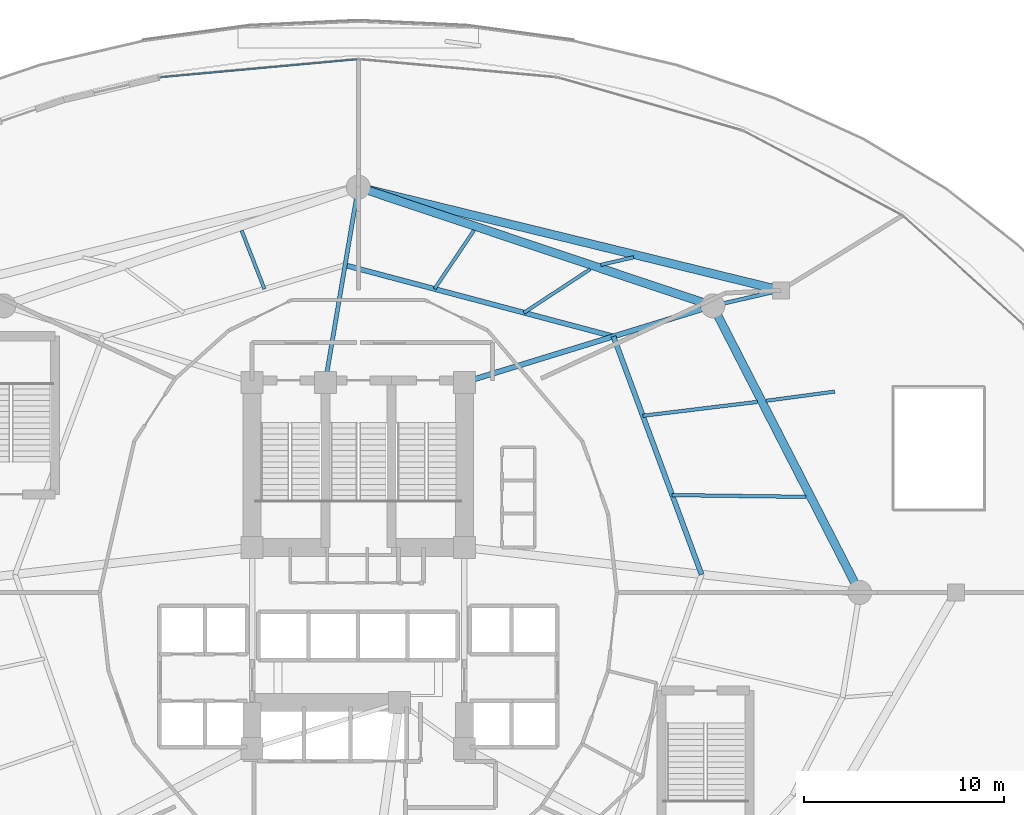
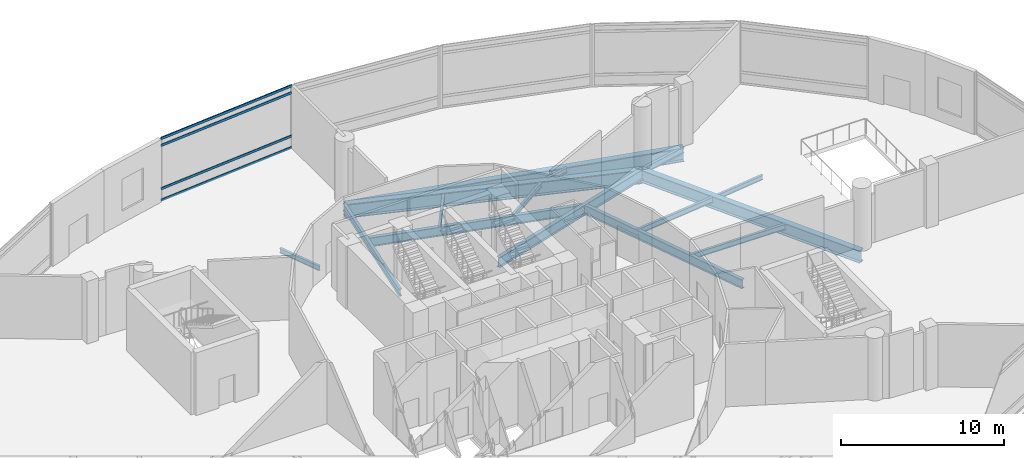
# One storey, part 18 of 37: 15 beams, 4 members, 1 element without a shape of its own.
"""IFC4 building model written with IfcOpenShell, lengths in metres."""

import ifcopenshell
import ifcopenshell.guid

model = None  # the IFC model being written
_history = None  # IfcOwnerHistory: only IFC2X3 demands one
_inside = {}  # id of a spatial element -> (the spatial element, [elements in it])
_under = {}  # id of a project, library or spatial element -> (it, [spatial elements below it])
_declared = {}  # id of a project -> (the project, [libraries it declares])
_typed = {}  # id of a type object -> (the type object, [elements of that type])
_made_of = {}  # id of a material, layer set ... -> (it, [elements and type objects made of it])


def new_model(schema):
    """Start an empty IFC model of exactly this schema.

    Asked for "IFC4X3", IfcOpenShell would pick the latest addendum, in which some entities
    have other attributes; the version numbers below select the first issue.
    IFC2X3 requires an IfcOwnerHistory on every rooted entity: one is made here for all.
    """
    global model, _history
    if schema == "IFC4X3":
        model = ifcopenshell.file(schema_version=(4, 3, 0, 0))
    else:
        model = ifcopenshell.file(schema=schema)
    _inside.clear()
    _under.clear()
    _declared.clear()
    _typed.clear()
    _made_of.clear()
    _history = None
    if model.schema == "IFC2X3":
        org = make("IfcOrganization", Name="unknown")
        user = make(
            "IfcPersonAndOrganization",
            ThePerson=make("IfcPerson", FamilyName="unknown"),
            TheOrganization=org,
        )
        app = make(
            "IfcApplication",
            ApplicationDeveloper=org,
            Version="unknown",
            ApplicationFullName="unknown",
            ApplicationIdentifier="unknown",
        )
        _history = make(
            "IfcOwnerHistory",
            OwningUser=user,
            OwningApplication=app,
            ChangeAction="ADDED",
            CreationDate=0,
        )
    return model


def make(cls, **values):
    """One entity of the class cls with the attributes given. An attribute that is None is left unset."""
    return model.create_entity(
        cls, **{name: value for name, value in values.items() if value is not None}
    )


def rooted(cls, **values):
    """An entity with a GlobalId (a new one), such as an element, a storey or a relation."""
    return make(cls, GlobalId=ifcopenshell.guid.new(), OwnerHistory=_history, **values)


def si_unit(unit_type, name, prefix=None):
    """IfcSIUnit, for example si_unit("LENGTHUNIT", "METRE", prefix="MILLI")."""
    return make("IfcSIUnit", UnitType=unit_type, Prefix=prefix, Name=name)


def assignment(units):
    """IfcUnitAssignment: the units of a project."""
    return None if units is None else make("IfcUnitAssignment", Units=units)


def point(xyz):
    """IfcCartesianPoint."""
    return None if xyz is None else make("IfcCartesianPoint", Coordinates=xyz)


def direction(xyz):
    """IfcDirection."""
    return None if xyz is None else make("IfcDirection", DirectionRatios=xyz)


def frame(location, z_axis=None, x_axis=None):
    """IfcAxis2Placement3D, a coordinate frame: its origin and axes. An axis left out is left unset."""
    return make(
        "IfcAxis2Placement3D",
        Location=point(location),
        Axis=direction(z_axis),
        RefDirection=direction(x_axis),
    )


def frame_2d(location, x_axis=None):
    """IfcAxis2Placement2D, a coordinate frame in the plane: its origin and x axis."""
    return make(
        "IfcAxis2Placement2D", Location=point(location), RefDirection=direction(x_axis)
    )


def origin():
    """The frame at (0, 0, 0) with its axes left unset."""
    return frame((0.0, 0.0, 0.0))


def origin_2d():
    """The frame at (0, 0) in the plane with its x axis left unset."""
    return frame_2d((0.0, 0.0))


def place(relative_to, where):
    """IfcLocalPlacement: puts the frame where relative to a parent placement (None: the world)."""
    return make(
        "IfcLocalPlacement", PlacementRelTo=relative_to, RelativePlacement=where
    )


def context(
    kind, dimensions, precision=None, world=None, true_north=None, identifier=None
):
    """IfcGeometricRepresentationContext, for example the 3D "Model" context."""
    return make(
        "IfcGeometricRepresentationContext",
        ContextIdentifier=identifier,
        ContextType=kind,
        CoordinateSpaceDimension=dimensions,
        Precision=precision,
        WorldCoordinateSystem=world,
        TrueNorth=true_north,
    )


def subcontext(parent, identifier, kind, view, scale=None):
    """IfcGeometricRepresentationSubContext, for example "Body" below "Model"."""
    return make(
        "IfcGeometricRepresentationSubContext",
        ContextIdentifier=identifier,
        ContextType=kind,
        ParentContext=parent,
        TargetScale=scale,
        TargetView=view,
    )


def project(units=None, contexts=None):
    """IfcProject with its units and contexts."""
    return rooted(
        "IfcProject",
        Name="project",
        RepresentationContexts=contexts,
        UnitsInContext=assignment(units),
    )


def spatial(cls, under=None, at=None, **own):
    """A site, building, storey or space (cls), placed at a placement, below another one or the project."""
    s = rooted(cls, ObjectPlacement=at, **own)
    if under is not None:
        _under.setdefault(under.id(), (under, []))[1].append(s)
    return s


def profile(cls, at=None, kind="AREA", **sizes):
    """A parametric profile (cls). Its sizes go by their IFC names, for example OverallWidth=200.0."""
    return make(cls, ProfileType=kind, Position=at, **sizes)


def hollow_rectangle(**sizes):
    """IfcRectangleHollowProfileDef."""
    return profile("IfcRectangleHollowProfileDef", **sizes)


def i_section(**sizes):
    """IfcIShapeProfileDef."""
    return profile("IfcIShapeProfileDef", **sizes)


def extrude(swept, where, along, depth):
    """IfcExtrudedAreaSolid: the profile swept, set in the frame where, extruded along a direction by depth."""
    return make(
        "IfcExtrudedAreaSolid",
        SweptArea=swept,
        Position=where,
        ExtrudedDirection=direction(along),
        Depth=depth,
    )


def shape(context_of_items, identifier, shape_type, items):
    """IfcShapeRepresentation: the items that make up one representation, for example the "Body"."""
    return make(
        "IfcShapeRepresentation",
        ContextOfItems=context_of_items,
        RepresentationIdentifier=identifier,
        RepresentationType=shape_type,
        Items=items,
    )


def material(Name=None, Category=None):
    """IfcMaterial."""
    return make("IfcMaterial", Name=Name, Category=Category)


def layer(
    of_material, thickness, ventilated=None, Name=None, Category=None, Priority=None
):
    """IfcMaterialLayer: one layer of a wall or slab, of a material (None: an air gap)."""
    return make(
        "IfcMaterialLayer",
        Material=of_material,
        LayerThickness=thickness,
        IsVentilated=ventilated,
        Name=Name,
        Category=Category,
        Priority=Priority,
    )


def layer_set(layers, Name=None):
    """IfcMaterialLayerSet."""
    return make("IfcMaterialLayerSet", MaterialLayers=layers, LayerSetName=Name)


def material_profile(
    of_material, cross_section, Name=None, Category=None, Priority=None
):
    """IfcMaterialProfile: a cross section and its material."""
    return make(
        "IfcMaterialProfile",
        Name=Name,
        Material=of_material,
        Profile=cross_section,
        Priority=Priority,
        Category=Category,
    )


def profile_set(profiles, Name=None, composite=None):
    """IfcMaterialProfileSet."""
    return make(
        "IfcMaterialProfileSet",
        Name=Name,
        MaterialProfiles=profiles,
        CompositeProfile=composite,
    )


def made_of(thing, what):
    """Note that an element or type object is made of a material, layer set ...; save() writes the relation."""
    if what is not None:
        _made_of.setdefault(what.id(), (what, []))[1].append(thing)
    return thing


def type_object(cls, material=None, **own):
    """A type object (cls), such as IfcWallType, which elements share."""
    return made_of(rooted(cls, **own), material)


def element(
    cls,
    number,
    at=None,
    inside=None,
    cuts=None,
    type_object=None,
    material=None,
    context=None,
    identifier="Body",
    shape_type=None,
    held_by="IfcProductDefinitionShape",
    body=None,
    shapes=None,
    **own,
):
    """One element of the class cls, such as IfcWall. Its Tag is "e" and its number.

    at: its placement. inside: the storey or other place that contains it. cuts: it is an
    opening in that element (IfcRelVoidsElement). A single representation is given by context,
    identifier, shape_type and body (its items); several are given by shapes. held_by: the class
    of the entity that holds the representations. save() writes the other relations.
    """
    e = rooted(cls, Tag="e%d" % number, ObjectPlacement=at, **own)
    if body is not None:
        shapes = [shape(context, identifier, shape_type, body)]
    if shapes is not None:
        e.Representation = make(held_by, Representations=shapes)
    if inside is not None:
        _inside.setdefault(inside.id(), (inside, []))[1].append(e)
    if cuts is not None:
        rooted(
            "IfcRelVoidsElement", RelatingBuildingElement=cuts, RelatedOpeningElement=e
        )
    if type_object is not None:
        _typed.setdefault(type_object.id(), (type_object, []))[1].append(e)
    return made_of(e, material)


def aggregate(whole, parts):
    """IfcRelAggregates: a whole, such as a stair, and the parts it consists of."""
    return rooted("IfcRelAggregates", RelatingObject=whole, RelatedObjects=parts)


def save(model, path):
    """Write the relations noted so far, then the file.

    IfcRelAggregates (storeys below a building ...), IfcRelContainedInSpatialStructure (elements
    in a storey), IfcRelDefinesByType, IfcRelAssociatesMaterial and IfcRelDeclares: one each for
    every whole, place, type object, material and project.
    """
    for whole, parts in _under.values():
        aggregate(whole, parts)
    for where, things in _inside.values():
        rooted(
            "IfcRelContainedInSpatialStructure",
            RelatedElements=things,
            RelatingStructure=where,
        )
    for kind, things in _typed.values():
        rooted("IfcRelDefinesByType", RelatedObjects=things, RelatingType=kind)
    for what, things in _made_of.values():
        rooted("IfcRelAssociatesMaterial", RelatedObjects=things, RelatingMaterial=what)
    for by, libraries in _declared.values():
        rooted("IfcRelDeclares", RelatingContext=by, RelatedDefinitions=libraries)
    model.write(path)


model = new_model("IFC4")

# Units and contexts
model_context = context("Model", 3, precision=1e-05, world=origin(), true_north=direction((0.0, 1.0)))
body_context = subcontext(model_context, "Body", "Model", "MODEL_VIEW")
ifc_project = project(units=[si_unit("LENGTHUNIT", "METRE"), si_unit("AREAUNIT", "SQUARE_METRE"), si_unit("VOLUMEUNIT", "CUBIC_METRE"), si_unit("PLANEANGLEUNIT", "RADIAN"), si_unit("MASSUNIT", "GRAM", prefix="KILO")], contexts=[model_context])

# Site, building, storey
site_placement = place(None, origin())
site = spatial("IfcSite", under=ifc_project, at=site_placement, CompositionType="ELEMENT")
building_placement = place(site_placement, origin())
building = spatial("IfcBuilding", under=site, at=building_placement, Name="Nuhasar Tower", CompositionType="ELEMENT")
storey_placement = place(building_placement, frame((0.0, 0.0, 6.0)))
storey = spatial("IfcBuildingStorey", under=building, at=storey_placement, Name="L01", CompositionType="ELEMENT", Elevation=6.0)

# Beams
ifc_material_1 = material(Name="Steel S355", Category="steel")
ifc_material_profile_1 = material_profile(ifc_material_1, i_section(OverallWidth=0.25390625, OverallDepth=0.68408203125, WebThickness=0.012451171875, FlangeThickness=0.018798828125, at=origin_2d()), Name="W27X94")
ifc_profile_set_1 = profile_set([ifc_material_profile_1], Name="Steel S355")
beam_type_1 = type_object("IfcBeamType", Name="BM-INRING-W27X94", PredefinedType="BEAM", material=ifc_profile_set_1)
beam_1_placement = place(storey_placement, frame((56.14990234375, 27.699951171875, -0.64208984375), z_axis=(-0.34715757476, 0.937806812881, 0.0), x_axis=(-0.937806812881, -0.34715757476, 0.0)))
element("IfcBeam", 1, at=beam_1_placement, inside=storey, type_object=beam_type_1, Name="L01 Inner Header Beam 04", PredefinedType="BEAM", context=body_context, shape_type="SweptSolid", body=[
    extrude(i_section(OverallWidth=0.25390625, OverallDepth=0.68408203125, WebThickness=0.012451171875, FlangeThickness=0.018798828125, at=origin_2d()), origin(), (0.0, 0.0, 1.0), 12.6796875),
])
beam_2_placement = place(storey_placement, frame((51.748046875, 39.591064453125, -0.64208984375), z_axis=(-0.96653253005, 0.256544086574, 0.0), x_axis=(-0.256544086574, -0.96653253005, 0.0)))
element("IfcBeam", 2, at=beam_2_placement, inside=storey, type_object=beam_type_1, Name="L01 Inner Header Beam 05", PredefinedType="BEAM", context=body_context, shape_type="SweptSolid", body=[
    extrude(i_section(OverallWidth=0.25390625, OverallDepth=0.68408203125, WebThickness=0.012451171875, FlangeThickness=0.018798828125, at=origin_2d()), origin(), (0.0, 0.0, 1.0), 13.872314453125),
])
ifc_material_profile_2 = material_profile(ifc_material_1, i_section(OverallWidth=0.1708984375, OverallDepth=0.35205078125, WebThickness=0.0068359375, FlangeThickness=0.009765625, at=origin_2d()), Name="W14X30")
ifc_profile_set_2 = profile_set([ifc_material_profile_2], Name="Steel S355")
beam_type_2 = type_object("IfcBeamType", Name="BM-JST-W14X30", PredefinedType="JOIST", material=ifc_profile_set_2)
beam_3_placement = place(storey_placement, frame((47.279052734375, 40.777099609375, -0.47607421875), z_axis=(0.835823449521, 0.548998325345, 0.0), x_axis=(-0.548998325345, 0.835823449521, 0.0)))
element("IfcBeam", 3, at=beam_3_placement, inside=storey, type_object=beam_type_2, Name="L01 Secondary Floor Joist 09", PredefinedType="JOIST", context=body_context, shape_type="SweptSolid", body=[
    extrude(i_section(OverallWidth=0.1708984375, OverallDepth=0.35205078125, WebThickness=0.0068359375, FlangeThickness=0.009765625, at=origin_2d()), origin(), (0.0, 0.0, 1.0), 3.96142578125),
])
beam_4_placement = place(storey_placement, frame((42.80908203125, 41.964111328125, -0.47607421875), z_axis=(0.558852429743, 0.82926712329, 0.0), x_axis=(-0.82926712329, 0.558852429743, 0.0)))
element("IfcBeam", 4, at=beam_4_placement, inside=storey, type_object=beam_type_2, Name="L01 Secondary Floor Joist 10", PredefinedType="JOIST", context=body_context, shape_type="SweptSolid", body=[
    extrude(i_section(OverallWidth=0.1708984375, OverallDepth=0.35205078125, WebThickness=0.0068359375, FlangeThickness=0.009765625, at=origin_2d()), origin(), (0.0, 0.0, 1.0), 3.535400390625),
])
beam_5_placement = place(storey_placement, frame((34.31103515625, 41.964111328125, -0.47607421875), z_axis=(-0.364040737541, 0.931383026155, 0.0), x_axis=(-0.931383026155, -0.364040737541, 0.0)))
element("IfcBeam", 5, at=beam_5_placement, inside=storey, type_object=beam_type_2, Name="L01 Secondary Floor Joist 11", PredefinedType="JOIST", context=body_context, shape_type="SweptSolid", body=[
    extrude(i_section(OverallWidth=0.1708984375, OverallDepth=0.35205078125, WebThickness=0.0068359375, FlangeThickness=0.009765625, at=origin_2d()), origin(), (0.0, 0.0, 1.0), 3.1318359375),
])
beam_6_placement = place(storey_placement, frame((59.375, 36.375, -0.47607421875), z_axis=(0.991102825543, 0.133098419226, 0.0), x_axis=(-0.133098419226, 0.991102825543, 0.0)))
element("IfcBeam", 6, at=beam_6_placement, inside=storey, type_object=beam_type_2, Name="L01 Podium Secondary Joist 08", PredefinedType="JOIST", context=body_context, shape_type="SweptSolid", body=[
    extrude(i_section(OverallWidth=0.1708984375, OverallDepth=0.35205078125, WebThickness=0.0068359375, FlangeThickness=0.009765625, at=origin_2d()), origin(), (0.0, 0.0, 1.0), 3.455810546875),
])
beam_7_placement = place(storey_placement, frame((51.117919921875, 43.1669921875, -0.47607421875), z_axis=(0.974707362728, 0.223485026441, 0.0), x_axis=(-0.223485026441, 0.974707362728, 0.0)))
element("IfcBeam", 7, at=beam_7_placement, inside=storey, type_object=beam_type_2, Name="L01 Podium Secondary Joist 09", PredefinedType="JOIST", context=body_context, shape_type="SweptSolid", body=[
    extrude(i_section(OverallWidth=0.1708984375, OverallDepth=0.35205078125, WebThickness=0.0068359375, FlangeThickness=0.009765625, at=origin_2d()), origin(), (0.0, 0.0, 1.0), 1.686767578125),
])
ifc_material_profile_3 = material_profile(ifc_material_1, i_section(OverallWidth=0.177978515625, OverallDepth=0.406005859375, WebThickness=0.0078125, FlangeThickness=0.0126953125, at=origin_2d()), Name="W16X40")
ifc_profile_set_3 = profile_set([ifc_material_profile_3], Name="Steel S355")
beam_type_3 = type_object("IfcBeamType", Name="BM-JST-W16X40", PredefinedType="JOIST", material=ifc_profile_set_3)
beam_8_placement = place(storey_placement, frame((54.68310546875, 31.6640625, -0.5029296875), z_axis=(0.999913180567, -0.013176924078, 0.0), x_axis=(0.013176924078, 0.999913180567, 0.0)))
element("IfcBeam", 8, at=beam_8_placement, inside=storey, type_object=beam_type_3, Name="L01 Secondary Floor Joist 07", PredefinedType="JOIST", context=body_context, shape_type="SweptSolid", body=[
    extrude(i_section(OverallWidth=0.177978515625, OverallDepth=0.406005859375, WebThickness=0.0078125, FlangeThickness=0.0126953125, at=origin_2d()), origin(), (0.0, 0.0, 1.0), 6.6884765625),
])
beam_9_placement = place(storey_placement, frame((53.215087890625, 35.626953125, -0.5029296875), z_axis=(0.992752923061, 0.120173348764, 0.0), x_axis=(-0.120173348764, 0.992752923061, 0.0)))
element("IfcBeam", 9, at=beam_9_placement, inside=storey, type_object=beam_type_3, Name="L01 Secondary Floor Joist 08", PredefinedType="JOIST", context=body_context, shape_type="SweptSolid", body=[
    extrude(i_section(OverallWidth=0.177978515625, OverallDepth=0.406005859375, WebThickness=0.0078125, FlangeThickness=0.0126953125, at=origin_2d()), origin(), (0.0, 0.0, 1.0), 5.767578125),
])
ifc_material_profile_4 = material_profile(ifc_material_1, i_section(OverallWidth=0.419921875, OverallDepth=0.931884765625, WebThickness=0.021240234375, FlangeThickness=0.03662109375, at=origin_2d()), Name="W36X262")
ifc_profile_set_4 = profile_set([ifc_material_profile_4], Name="Steel S355")
beam_type_4 = type_object("IfcBeamType", Name="BM-POD-W36X262", PredefinedType="BEAM", material=ifc_profile_set_4)
beam_10_placement = place(storey_placement, frame((64.050048828125, 26.800048828125, -0.76611328125), z_axis=(-0.456029199343, 0.889964813544, 0.0), x_axis=(-0.889964813544, -0.456029199343, 0.0)))
element("IfcBeam", 10, at=beam_10_placement, inside=storey, type_object=beam_type_4, Name="L01 Mega-Column Ring Girder 04", PredefinedType="BEAM", context=body_context, shape_type="SweptSolid", body=[
    extrude(i_section(OverallWidth=0.419921875, OverallDepth=0.931884765625, WebThickness=0.021240234375, FlangeThickness=0.03662109375, at=origin_2d()), origin(), (0.0, 0.0, 1.0), 16.089111328125),
])
ifc_material_profile_5 = material_profile(ifc_material_1, i_section(OverallWidth=0.18994140625, OverallDepth=0.45703125, WebThickness=0.009033203125, FlangeThickness=0.014404296875, at=origin_2d()), Name="W18X50")
ifc_profile_set_5 = profile_set([ifc_material_profile_5], Name="Steel S355")
beam_type_5 = type_object("IfcBeamType", Name="BM-RAD-W18X50", PredefinedType="BEAM", material=ifc_profile_set_5)
beam_11_placement = place(storey_placement, frame((56.712890625, 41.118896484375, -0.529052734375), z_axis=(0.974715141502, 0.223451097394, 0.0), x_axis=(-0.223451097394, 0.974715141502, 0.0)))
element("IfcBeam", 11, at=beam_11_placement, inside=storey, type_object=beam_type_5, Name="L01 Podium Radial Girder 05", PredefinedType="BEAM", context=body_context, shape_type="SweptSolid", body=[
    extrude(i_section(OverallWidth=0.18994140625, OverallDepth=0.45703125, WebThickness=0.009033203125, FlangeThickness=0.014404296875, at=origin_2d()), origin(), (0.0, 0.0, 1.0), 3.482177734375),
])
ifc_material_profile_6 = material_profile(ifc_material_1, i_section(OverallWidth=0.208984375, OverallDepth=0.532958984375, WebThickness=0.01025390625, FlangeThickness=0.015625, at=origin_2d()), Name="W21X62")
ifc_profile_set_6 = profile_set([ifc_material_profile_6], Name="Steel S355")
beam_type_6 = type_object("IfcBeamType", Name="BM-RAD-W21X62", PredefinedType="BEAM", material=ifc_profile_set_6)
beam_12_placement = place(storey_placement, frame((37.35009765625, 37.300048828125, -0.56591796875), z_axis=(0.166848703013, 0.98598251014, 0.0), x_axis=(-0.98598251014, 0.166848703013, 0.0)))
element("IfcBeam", 12, at=beam_12_placement, inside=storey, type_object=beam_type_6, Name="L01 Radial Floor Girder 06", PredefinedType="BEAM", context=body_context, shape_type="SweptSolid", body=[
    extrude(i_section(OverallWidth=0.208984375, OverallDepth=0.532958984375, WebThickness=0.01025390625, FlangeThickness=0.015625, at=origin_2d()), origin(), (0.0, 0.0, 1.0), 9.888671875),
])
ifc_material_profile_7 = material_profile(ifc_material_1, i_section(OverallWidth=0.26611328125, OverallDepth=0.779052734375, WebThickness=0.0166015625, FlangeThickness=0.030029296875, at=origin_2d()), Name="W30X148")
ifc_profile_set_7 = profile_set([ifc_material_profile_7], Name="Steel S355")
beam_type_7 = type_object("IfcBeamType", Name="BM-RAD-W30X148", PredefinedType="BEAM", material=ifc_profile_set_7)
beam_13_placement = place(storey_placement, frame((44.300048828125, 37.300048828125, -0.68896484375), z_axis=(0.955789576103, 0.294051502653, 0.0), x_axis=(-0.294051502653, 0.955789576103, 0.0)))
element("IfcBeam", 13, at=beam_13_placement, inside=storey, type_object=beam_type_7, Name="L01 Radial Floor Girder 05", PredefinedType="BEAM", context=body_context, shape_type="SweptSolid", body=[
    extrude(i_section(OverallWidth=0.26611328125, OverallDepth=0.779052734375, WebThickness=0.0166015625, FlangeThickness=0.030029296875, at=origin_2d()), origin(), (0.0, 0.0, 1.0), 12.987060546875),
])
ifc_material_2 = material(Name="Steel S460", Category="steel")
ifc_material_profile_8 = material_profile(ifc_material_2, i_section(OverallWidth=0.419921875, OverallDepth=1.0400390625, WebThickness=0.031005859375, FlangeThickness=0.055908203125, at=origin_2d()), Name="W40X397")
ifc_profile_set_8 = profile_set([ifc_material_profile_8], Name="Steel S460")
beam_type_8 = type_object("IfcBeamType", Name="BM-XFER-W40X397", PredefinedType="USERDEFINED", material=ifc_profile_set_8)
beam_14_placement = place(storey_placement, frame((56.712890625, 41.118896484375, -0.820068359375), z_axis=(-0.948251107254, 0.317521397062, 0.0), x_axis=(-0.317521397062, -0.948251107254, 0.0)))
element("IfcBeam", 14, at=beam_14_placement, inside=storey, type_object=beam_type_8, Name="L01 Mega-Column Ring Girder 05", ObjectType="GIRDER", PredefinedType="USERDEFINED", context=body_context, shape_type="SweptSolid", body=[
    extrude(i_section(OverallWidth=0.419921875, OverallDepth=1.0400390625, WebThickness=0.031005859375, FlangeThickness=0.055908203125, at=origin_2d()), origin(), (0.0, 0.0, 1.0), 18.679443359375),
])
beam_15_placement = place(storey_placement, frame((60.10693359375, 41.89697265625, -0.820068359375), z_axis=(-0.971466874575, 0.23717527612, 0.0), x_axis=(-0.23717527612, -0.971466874575, 0.0)))
element("IfcBeam", 15, at=beam_15_placement, inside=storey, type_object=beam_type_8, Name="L01 Podium Ring Girder 05", ObjectType="GIRDER", PredefinedType="USERDEFINED", context=body_context, shape_type="SweptSolid", body=[
    extrude(i_section(OverallWidth=0.419921875, OverallDepth=1.0400390625, WebThickness=0.031005859375, FlangeThickness=0.055908203125, at=origin_2d()), origin(), (0.0, 0.0, 1.0), 21.726806640625),
])

# Curtain wall, members
ifc_material_3 = material(Name="Aluminium 6063-T6", Category="aluminium")
ifc_layer = layer(ifc_material_3, 0.219970703125)
ifc_layer_set = layer_set([ifc_layer], Name="Aluminium 6063-T6")
curtain_wall_type = type_object("IfcCurtainWallType", Name="CW-PODIUM", PredefinedType="NOTDEFINED", material=ifc_layer_set)
curtain_wall_placement = place(storey_placement, origin())
curtain_wall = element("IfcCurtainWall", 16, at=curtain_wall_placement, inside=storey, type_object=curtain_wall_type, Name="L01 Podium Curtain Wall Bay 07", PredefinedType="NOTDEFINED")
ifc_material_profile_9 = material_profile(ifc_material_3, hollow_rectangle(XDim=0.074951171875, YDim=0.179931640625, WallThickness=0.00439453125, at=origin_2d()), Name="CWT-1")
ifc_profile_set_9 = profile_set([ifc_material_profile_9], Name="Aluminium 6063-T6")
member_type = type_object("IfcMemberType", Name="CW-TRN-S1", PredefinedType="USERDEFINED", material=ifc_profile_set_9)
member_1_placement = place(storey_placement, frame((38.92529296875, 53.43310546875, 0.03759765625), z_axis=(-0.995861828926, -0.090880238156, 0.0), x_axis=(0.090880238156, -0.995861828926, 0.0)))
member_1 = element("IfcMember", 17, at=member_1_placement, type_object=member_type, Name="CW-P1 transom 1.1", ObjectType="TRANSOM", PredefinedType="USERDEFINED", context=body_context, shape_type="SweptSolid", body=[
    extrude(hollow_rectangle(XDim=0.074951171875, YDim=0.179931640625, WallThickness=0.00439453125, at=origin_2d()), origin(), (0.0, 0.0, 1.0), 9.84033203125),
])
member_2_placement = place(storey_placement, frame((38.92529296875, 53.43310546875, 0.89990234375), z_axis=(-0.995861828926, -0.090880238156, 0.0), x_axis=(0.090880238156, -0.995861828926, 0.0)))
member_2 = element("IfcMember", 18, at=member_2_placement, type_object=member_type, Name="CW-P1 transom 1.2", ObjectType="TRANSOM", PredefinedType="USERDEFINED", context=body_context, shape_type="SweptSolid", body=[
    extrude(hollow_rectangle(XDim=0.074951171875, YDim=0.179931640625, WallThickness=0.00439453125, at=origin_2d()), origin(), (0.0, 0.0, 1.0), 9.84033203125),
])
member_3_placement = place(storey_placement, frame((38.92529296875, 53.43310546875, 4.14990234375), z_axis=(-0.995861828926, -0.090880238156, 0.0), x_axis=(0.090880238156, -0.995861828926, 0.0)))
member_3 = element("IfcMember", 19, at=member_3_placement, type_object=member_type, Name="CW-P1 transom 1.3", ObjectType="TRANSOM", PredefinedType="USERDEFINED", context=body_context, shape_type="SweptSolid", body=[
    extrude(hollow_rectangle(XDim=0.074951171875, YDim=0.179931640625, WallThickness=0.00439453125, at=origin_2d()), origin(), (0.0, 0.0, 1.0), 9.84033203125),
])
member_4_placement = place(storey_placement, frame((38.92529296875, 53.43310546875, 4.66259765625), z_axis=(-0.995861828926, -0.090880238156, 0.0), x_axis=(0.090880238156, -0.995861828926, 0.0)))
member_4 = element("IfcMember", 20, at=member_4_placement, type_object=member_type, Name="CW-P1 transom 1.4", ObjectType="TRANSOM", PredefinedType="USERDEFINED", context=body_context, shape_type="SweptSolid", body=[
    extrude(hollow_rectangle(XDim=0.074951171875, YDim=0.179931640625, WallThickness=0.00439453125, at=origin_2d()), origin(), (0.0, 0.0, 1.0), 9.84033203125),
])
aggregate(curtain_wall, [member_1, member_2, member_3, member_4])

save(model, "model.ifc")
